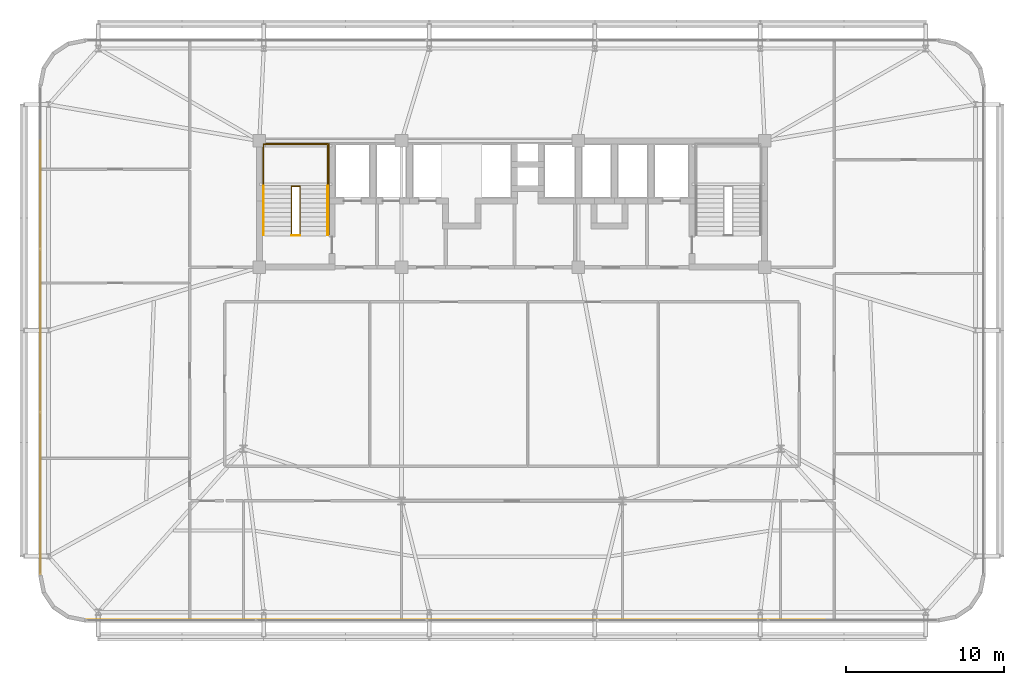
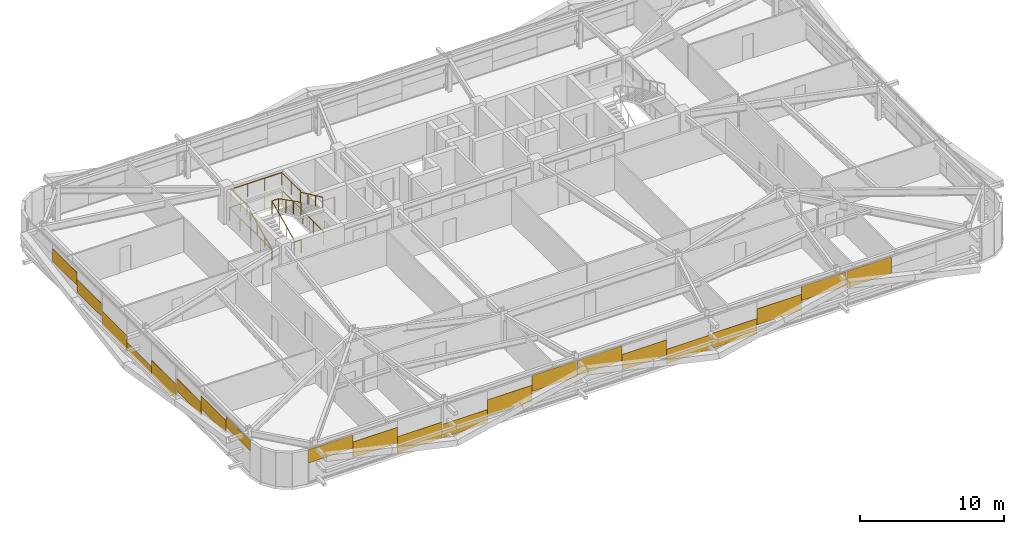
# One storey, part 43 of 45: 21 coverings, 6 railings.
"""IFC4 building model written with IfcOpenShell, lengths in metres."""

import ifcopenshell
import ifcopenshell.guid

model = None  # the IFC model being written
_history = None  # IfcOwnerHistory: only IFC2X3 demands one
_inside = {}  # id of a spatial element -> (the spatial element, [elements in it])
_under = {}  # id of a project, library or spatial element -> (it, [spatial elements below it])
_declared = {}  # id of a project -> (the project, [libraries it declares])
_typed = {}  # id of a type object -> (the type object, [elements of that type])
_made_of = {}  # id of a material, layer set ... -> (it, [elements and type objects made of it])


def new_model(schema):
    """Start an empty IFC model of exactly this schema.

    Asked for "IFC4X3", IfcOpenShell would pick the latest addendum, in which some entities
    have other attributes; the version numbers below select the first issue.
    IFC2X3 requires an IfcOwnerHistory on every rooted entity: one is made here for all.
    """
    global model, _history
    if schema == "IFC4X3":
        model = ifcopenshell.file(schema_version=(4, 3, 0, 0))
    else:
        model = ifcopenshell.file(schema=schema)
    _inside.clear()
    _under.clear()
    _declared.clear()
    _typed.clear()
    _made_of.clear()
    _history = None
    if model.schema == "IFC2X3":
        org = make("IfcOrganization", Name="unknown")
        user = make(
            "IfcPersonAndOrganization",
            ThePerson=make("IfcPerson", FamilyName="unknown"),
            TheOrganization=org,
        )
        app = make(
            "IfcApplication",
            ApplicationDeveloper=org,
            Version="unknown",
            ApplicationFullName="unknown",
            ApplicationIdentifier="unknown",
        )
        _history = make(
            "IfcOwnerHistory",
            OwningUser=user,
            OwningApplication=app,
            ChangeAction="ADDED",
            CreationDate=0,
        )
    return model


def make(cls, **values):
    """One entity of the class cls with the attributes given. An attribute that is None is left unset."""
    return model.create_entity(
        cls, **{name: value for name, value in values.items() if value is not None}
    )


def rooted(cls, **values):
    """An entity with a GlobalId (a new one), such as an element, a storey or a relation."""
    return make(cls, GlobalId=ifcopenshell.guid.new(), OwnerHistory=_history, **values)


def si_unit(unit_type, name, prefix=None):
    """IfcSIUnit, for example si_unit("LENGTHUNIT", "METRE", prefix="MILLI")."""
    return make("IfcSIUnit", UnitType=unit_type, Prefix=prefix, Name=name)


def assignment(units):
    """IfcUnitAssignment: the units of a project."""
    return None if units is None else make("IfcUnitAssignment", Units=units)


def point(xyz):
    """IfcCartesianPoint."""
    return None if xyz is None else make("IfcCartesianPoint", Coordinates=xyz)


def direction(xyz):
    """IfcDirection."""
    return None if xyz is None else make("IfcDirection", DirectionRatios=xyz)


def frame(location, z_axis=None, x_axis=None):
    """IfcAxis2Placement3D, a coordinate frame: its origin and axes. An axis left out is left unset."""
    return make(
        "IfcAxis2Placement3D",
        Location=point(location),
        Axis=direction(z_axis),
        RefDirection=direction(x_axis),
    )


def frame_2d(location, x_axis=None):
    """IfcAxis2Placement2D, a coordinate frame in the plane: its origin and x axis."""
    return make(
        "IfcAxis2Placement2D", Location=point(location), RefDirection=direction(x_axis)
    )


def origin():
    """The frame at (0, 0, 0) with its axes left unset."""
    return frame((0.0, 0.0, 0.0))


def origin_2d():
    """The frame at (0, 0) in the plane with its x axis left unset."""
    return frame_2d((0.0, 0.0))


def place(relative_to, where):
    """IfcLocalPlacement: puts the frame where relative to a parent placement (None: the world)."""
    return make(
        "IfcLocalPlacement", PlacementRelTo=relative_to, RelativePlacement=where
    )


def context(
    kind, dimensions, precision=None, world=None, true_north=None, identifier=None
):
    """IfcGeometricRepresentationContext, for example the 3D "Model" context."""
    return make(
        "IfcGeometricRepresentationContext",
        ContextIdentifier=identifier,
        ContextType=kind,
        CoordinateSpaceDimension=dimensions,
        Precision=precision,
        WorldCoordinateSystem=world,
        TrueNorth=true_north,
    )


def subcontext(parent, identifier, kind, view, scale=None):
    """IfcGeometricRepresentationSubContext, for example "Body" below "Model"."""
    return make(
        "IfcGeometricRepresentationSubContext",
        ContextIdentifier=identifier,
        ContextType=kind,
        ParentContext=parent,
        TargetScale=scale,
        TargetView=view,
    )


def project(units=None, contexts=None):
    """IfcProject with its units and contexts."""
    return rooted(
        "IfcProject",
        Name="project",
        RepresentationContexts=contexts,
        UnitsInContext=assignment(units),
    )


def spatial(cls, under=None, at=None, **own):
    """A site, building, storey or space (cls), placed at a placement, below another one or the project."""
    s = rooted(cls, ObjectPlacement=at, **own)
    if under is not None:
        _under.setdefault(under.id(), (under, []))[1].append(s)
    return s


def profile(cls, at=None, kind="AREA", **sizes):
    """A parametric profile (cls). Its sizes go by their IFC names, for example OverallWidth=200.0."""
    return make(cls, ProfileType=kind, Position=at, **sizes)


def rectangle(**sizes):
    """IfcRectangleProfileDef."""
    return profile("IfcRectangleProfileDef", **sizes)


def extrude(swept, where, along, depth):
    """IfcExtrudedAreaSolid: the profile swept, set in the frame where, extruded along a direction by depth."""
    return make(
        "IfcExtrudedAreaSolid",
        SweptArea=swept,
        Position=where,
        ExtrudedDirection=direction(along),
        Depth=depth,
    )


def shape(context_of_items, identifier, shape_type, items):
    """IfcShapeRepresentation: the items that make up one representation, for example the "Body"."""
    return make(
        "IfcShapeRepresentation",
        ContextOfItems=context_of_items,
        RepresentationIdentifier=identifier,
        RepresentationType=shape_type,
        Items=items,
    )


def source(mapping_origin, context_of_items, identifier, shape_type, items):
    """IfcRepresentationMap: a shape defined once, which mapped items show again and again."""
    return make(
        "IfcRepresentationMap",
        MappingOrigin=mapping_origin,
        MappedRepresentation=shape(context_of_items, identifier, shape_type, items),
    )


def transform(
    local_origin,
    x_axis=None,
    y_axis=None,
    z_axis=None,
    scale=None,
    scale2=None,
    scale3=None,
    uniform=True,
):
    """IfcCartesianTransformationOperator3D, or its non-uniform kind. x_axis, y_axis, z_axis: its Axis1, 2, 3."""
    if uniform:
        return make(
            "IfcCartesianTransformationOperator3D",
            Axis1=direction(x_axis),
            Axis2=direction(y_axis),
            LocalOrigin=point(local_origin),
            Scale=scale,
            Axis3=direction(z_axis),
        )
    return make(
        "IfcCartesianTransformationOperator3DnonUniform",
        Axis1=direction(x_axis),
        Axis2=direction(y_axis),
        LocalOrigin=point(local_origin),
        Scale=scale,
        Axis3=direction(z_axis),
        Scale2=scale2,
        Scale3=scale3,
    )


def mapped(mapping_source, mapping_target):
    """IfcMappedItem: shows the shape of a source again, moved by a transform."""
    return make(
        "IfcMappedItem", MappingSource=mapping_source, MappingTarget=mapping_target
    )


def material(Name=None, Category=None):
    """IfcMaterial."""
    return make("IfcMaterial", Name=Name, Category=Category)


def layer(
    of_material, thickness, ventilated=None, Name=None, Category=None, Priority=None
):
    """IfcMaterialLayer: one layer of a wall or slab, of a material (None: an air gap)."""
    return make(
        "IfcMaterialLayer",
        Material=of_material,
        LayerThickness=thickness,
        IsVentilated=ventilated,
        Name=Name,
        Category=Category,
        Priority=Priority,
    )


def layer_set(layers, Name=None):
    """IfcMaterialLayerSet."""
    return make("IfcMaterialLayerSet", MaterialLayers=layers, LayerSetName=Name)


def made_of(thing, what):
    """Note that an element or type object is made of a material, layer set ...; save() writes the relation."""
    if what is not None:
        _made_of.setdefault(what.id(), (what, []))[1].append(thing)
    return thing


def type_object(cls, material=None, **own):
    """A type object (cls), such as IfcWallType, which elements share."""
    return made_of(rooted(cls, **own), material)


def element(
    cls,
    number,
    at=None,
    inside=None,
    cuts=None,
    type_object=None,
    material=None,
    context=None,
    identifier="Body",
    shape_type=None,
    held_by="IfcProductDefinitionShape",
    body=None,
    shapes=None,
    **own,
):
    """One element of the class cls, such as IfcWall. Its Tag is "e" and its number.

    at: its placement. inside: the storey or other place that contains it. cuts: it is an
    opening in that element (IfcRelVoidsElement). A single representation is given by context,
    identifier, shape_type and body (its items); several are given by shapes. held_by: the class
    of the entity that holds the representations. save() writes the other relations.
    """
    e = rooted(cls, Tag="e%d" % number, ObjectPlacement=at, **own)
    if body is not None:
        shapes = [shape(context, identifier, shape_type, body)]
    if shapes is not None:
        e.Representation = make(held_by, Representations=shapes)
    if inside is not None:
        _inside.setdefault(inside.id(), (inside, []))[1].append(e)
    if cuts is not None:
        rooted(
            "IfcRelVoidsElement", RelatingBuildingElement=cuts, RelatedOpeningElement=e
        )
    if type_object is not None:
        _typed.setdefault(type_object.id(), (type_object, []))[1].append(e)
    return made_of(e, material)


def aggregate(whole, parts):
    """IfcRelAggregates: a whole, such as a stair, and the parts it consists of."""
    return rooted("IfcRelAggregates", RelatingObject=whole, RelatedObjects=parts)


def save(model, path):
    """Write the relations noted so far, then the file.

    IfcRelAggregates (storeys below a building ...), IfcRelContainedInSpatialStructure (elements
    in a storey), IfcRelDefinesByType, IfcRelAssociatesMaterial and IfcRelDeclares: one each for
    every whole, place, type object, material and project.
    """
    for whole, parts in _under.values():
        aggregate(whole, parts)
    for where, things in _inside.values():
        rooted(
            "IfcRelContainedInSpatialStructure",
            RelatedElements=things,
            RelatingStructure=where,
        )
    for kind, things in _typed.values():
        rooted("IfcRelDefinesByType", RelatedObjects=things, RelatingType=kind)
    for what, things in _made_of.values():
        rooted("IfcRelAssociatesMaterial", RelatedObjects=things, RelatingMaterial=what)
    for by, libraries in _declared.values():
        rooted("IfcRelDeclares", RelatingContext=by, RelatedDefinitions=libraries)
    model.write(path)


model = new_model("IFC4")

# Units and contexts
model_context = context("Model", 3, precision=1e-05, world=origin(), true_north=direction((0.0, 1.0)))
body_context = subcontext(model_context, "Body", "Model", "MODEL_VIEW")
ifc_project = project(units=[si_unit("LENGTHUNIT", "METRE"), si_unit("AREAUNIT", "SQUARE_METRE"), si_unit("VOLUMEUNIT", "CUBIC_METRE"), si_unit("PLANEANGLEUNIT", "RADIAN"), si_unit("MASSUNIT", "GRAM", prefix="KILO")], contexts=[model_context])

# Site, building, storey
site_placement = place(None, origin())
site = spatial("IfcSite", under=ifc_project, at=site_placement, CompositionType="ELEMENT")
building_placement = place(site_placement, origin())
building = spatial("IfcBuilding", under=site, at=building_placement, Name="Taldren Reach Tower", CompositionType="ELEMENT")
storey_placement = place(building_placement, frame((0.0, 0.0, 57.75)))
storey = spatial("IfcBuildingStorey", under=building, at=storey_placement, Name="L17", CompositionType="ELEMENT", Elevation=57.75)

# Railings
ifc_material_1 = material(Name="Steel Gr 350 (C350L0)", Category="steel")
ifc_layer_1 = layer(ifc_material_1, 0.050048828125)
ifc_layer_set_1 = layer_set([ifc_layer_1], Name="Steel Gr 350 (C350L0)")
railing_type_1 = type_object("IfcRailingType", Name="RL-STAIR-GR", PredefinedType="GUARDRAIL", material=ifc_layer_set_1)
railing_1_placement = place(storey_placement, frame((19.260009765625, 29.135009765625, 1.574951171875)))
element("IfcRailing", 1, at=railing_1_placement, inside=storey, type_object=railing_type_1, Name="Stair half-landing perimeter guard ST1-L17", PredefinedType="GUARDRAIL", context=body_context, shape_type="SweptSolid", body=[
    extrude(rectangle(XDim=0.047852, YDim=0.047852, at=origin_2d()), frame((0.0, 0.0, 1.09619140625), z_axis=(0.0, 1.0, 0.0), x_axis=(-1.0, 0.0, 0.0)), (0.0, 0.0, 1.0), 2.64501953125),
    extrude(rectangle(XDim=0.047852, YDim=0.047852, at=origin_2d()), frame((0.0, 2.64501953125, 1.09619140625), z_axis=(1.0, 0.0, 0.0), x_axis=(0.0, 1.0, 0.0)), (0.0, 0.0, 1.0), 4.080078125),
    extrude(rectangle(XDim=0.047852, YDim=0.047852, at=origin_2d()), frame((4.080078125, 2.64501953125, 1.09619140625), z_axis=(0.0, -1.0, 0.0), x_axis=(1.0, 0.0, 0.0)), (0.0, 0.0, 1.0), 2.64501953125),
    extrude(rectangle(XDim=0.041992, YDim=0.041992, at=origin_2d()), origin(), (0.0, 0.0, 1.0), 1.072021484375),
    extrude(rectangle(XDim=0.041992, YDim=0.041992, at=origin_2d()), frame((0.0, 1.322509765625, 0.0)), (0.0, 0.0, 1.0), 1.072021484375),
    extrude(rectangle(XDim=0.041992, YDim=0.041992, at=origin_2d()), frame((0.0, 2.64501953125, 0.0)), (0.0, 0.0, 1.0), 1.072021484375),
    extrude(rectangle(XDim=0.041992, YDim=0.041992, at=origin_2d()), frame((1.360107421875, 2.64501953125, 0.0)), (0.0, 0.0, 1.0), 1.072021484375),
    extrude(rectangle(XDim=0.041992, YDim=0.041992, at=origin_2d()), frame((2.719970703125, 2.64501953125, 0.0)), (0.0, 0.0, 1.0), 1.072021484375),
    extrude(rectangle(XDim=0.041992, YDim=0.041992, at=origin_2d()), frame((4.080078125, 2.64501953125, 0.0)), (0.0, 0.0, 1.0), 1.072021484375),
    extrude(rectangle(XDim=0.041992, YDim=0.041992, at=origin_2d()), frame((4.080078125, 1.322509765625, 0.0)), (0.0, 0.0, 1.0), 1.072021484375),
    extrude(rectangle(XDim=0.041992, YDim=0.041992, at=origin_2d()), frame((4.080078125, 0.0, 0.0)), (0.0, 0.0, 1.0), 1.072021484375),
])
railing_2_placement = place(storey_placement, frame((21.030029296875, 26.050048828125, 0.13134765625)))
element("IfcRailing", 2, at=railing_2_placement, inside=storey, type_object=railing_type_1, Name="Stairwell inner guard ST1-L17", PredefinedType="GUARDRAIL", context=body_context, shape_type="SweptSolid", body=[
    extrude(rectangle(XDim=0.047852, YDim=0.047852, at=origin_2d()), frame((0.0, 0.0, 1.09619140625), z_axis=(0.0, 0.905737652094, 0.423838773095), x_axis=(-1.0, 0.0, 0.0)), (0.0, 0.0, 1.0), 3.406005859375),
    extrude(rectangle(XDim=0.047852, YDim=0.047852, at=origin_2d()), frame((0.0, 3.0849609375, 2.53955078125), z_axis=(1.0, 0.0, 0.0), x_axis=(0.0, 1.0, 0.0)), (0.0, 0.0, 1.0), 0.5400390625),
    extrude(rectangle(XDim=0.047852, YDim=0.047852, at=origin_2d()), frame((0.5400390625, 3.0849609375, 2.53955078125), z_axis=(0.0, -0.890645957773, 0.45469745755), x_axis=(1.0, 0.0, 0.0)), (0.0, 0.0, 1.0), 3.463623046875),
    extrude(rectangle(XDim=0.041992, YDim=0.041992, at=origin_2d()), origin(), (0.0, 0.0, 1.0), 1.072021484375),
    extrude(rectangle(XDim=0.041992, YDim=0.041992, at=origin_2d()), frame((0.0, 1.0283203125, 0.481201171875)), (0.0, 0.0, 1.0), 1.072021484375),
    extrude(rectangle(XDim=0.041992, YDim=0.041992, at=origin_2d()), frame((0.0, 2.056640625, 0.96240234375)), (0.0, 0.0, 1.0), 1.072021484375),
    extrude(rectangle(XDim=0.041992, YDim=0.041992, at=origin_2d()), frame((0.0, 3.0849609375, 1.443603515625)), (0.0, 0.0, 1.0), 1.072021484375),
    extrude(rectangle(XDim=0.041992, YDim=0.041992, at=origin_2d()), frame((0.5400390625, 3.0849609375, 1.443603515625)), (0.0, 0.0, 1.0), 1.072021484375),
    extrude(rectangle(XDim=0.041992, YDim=0.041992, at=origin_2d()), frame((0.5400390625, 2.056640625, 1.968505859375)), (0.0, 0.0, 1.0), 1.072021484375),
    extrude(rectangle(XDim=0.041992, YDim=0.041992, at=origin_2d()), frame((0.5400390625, 1.0283203125, 2.49365234375)), (0.0, 0.0, 1.0), 1.072021484375),
    extrude(rectangle(XDim=0.041992, YDim=0.041992, at=origin_2d()), frame((0.5400390625, 0.0, 3.0185546875)), (0.0, 0.0, 1.0), 1.072021484375),
])
railing_3_placement = place(storey_placement, frame((21.030029296875, 26.010009765625, 0.0)))
element("IfcRailing", 3, at=railing_3_placement, inside=storey, type_object=railing_type_1, Name="Stairwell landing slot guard ST1-L17", PredefinedType="GUARDRAIL", context=body_context, shape_type="SweptSolid", body=[
    extrude(rectangle(XDim=0.047852, YDim=0.047852, at=origin_2d()), frame((0.0, 0.0, 1.09619140625), z_axis=(1.0, 0.0, 0.0), x_axis=(0.0, 1.0, 0.0)), (0.0, 0.0, 1.0), 0.5400390625),
    extrude(rectangle(XDim=0.041992, YDim=0.041992, at=origin_2d()), origin(), (0.0, 0.0, 1.0), 1.072021484375),
    extrude(rectangle(XDim=0.041992, YDim=0.041992, at=origin_2d()), frame((0.5400390625, 0.0, 0.0)), (0.0, 0.0, 1.0), 1.072021484375),
])
railing_4_placement = place(storey_placement, frame((19.18994140625, 26.050048828125, 0.0)))
element("IfcRailing", 4, at=railing_4_placement, inside=storey, type_object=railing_type_1, Name="Stairwell floor opening guard ST1-L17", PredefinedType="GUARDRAIL", context=body_context, shape_type="SweptSolid", body=[
    extrude(rectangle(XDim=0.047852, YDim=0.047852, at=origin_2d()), frame((0.0, 0.0, 1.09619140625), z_axis=(0.0, 1.0, 0.0), x_axis=(-1.0, 0.0, 0.0)), (0.0, 0.0, 1.0), 5.800048828125),
    extrude(rectangle(XDim=0.047852, YDim=0.047852, at=origin_2d()), frame((0.0, 5.800048828125, 1.09619140625), z_axis=(1.0, 0.0, 0.0), x_axis=(0.0, 1.0, 0.0)), (0.0, 0.0, 1.0), 4.219970703125),
    extrude(rectangle(XDim=0.047852, YDim=0.047852, at=origin_2d()), frame((4.219970703125, 5.800048828125, 1.09619140625), z_axis=(0.0, -1.0, 0.0), x_axis=(1.0, 0.0, 0.0)), (0.0, 0.0, 1.0), 5.800048828125),
    extrude(rectangle(XDim=0.041992, YDim=0.041992, at=origin_2d()), origin(), (0.0, 0.0, 1.0), 1.072021484375),
    extrude(rectangle(XDim=0.041992, YDim=0.041992, at=origin_2d()), frame((0.0, 1.449951171875, 0.0)), (0.0, 0.0, 1.0), 1.072021484375),
    extrude(rectangle(XDim=0.041992, YDim=0.041992, at=origin_2d()), frame((0.0, 2.89990234375, 0.0)), (0.0, 0.0, 1.0), 1.072021484375),
    extrude(rectangle(XDim=0.041992, YDim=0.041992, at=origin_2d()), frame((0.0, 4.35009765625, 0.0)), (0.0, 0.0, 1.0), 1.072021484375),
    extrude(rectangle(XDim=0.041992, YDim=0.041992, at=origin_2d()), frame((0.0, 5.800048828125, 0.0)), (0.0, 0.0, 1.0), 1.072021484375),
    extrude(rectangle(XDim=0.041992, YDim=0.041992, at=origin_2d()), frame((1.40673828125, 5.800048828125, 0.0)), (0.0, 0.0, 1.0), 1.072021484375),
    extrude(rectangle(XDim=0.041992, YDim=0.041992, at=origin_2d()), frame((2.813232421875, 5.800048828125, 0.0)), (0.0, 0.0, 1.0), 1.072021484375),
    extrude(rectangle(XDim=0.041992, YDim=0.041992, at=origin_2d()), frame((4.219970703125, 5.800048828125, 0.0)), (0.0, 0.0, 1.0), 1.072021484375),
    extrude(rectangle(XDim=0.041992, YDim=0.041992, at=origin_2d()), frame((4.219970703125, 4.35009765625, 0.0)), (0.0, 0.0, 1.0), 1.072021484375),
    extrude(rectangle(XDim=0.041992, YDim=0.041992, at=origin_2d()), frame((4.219970703125, 2.89990234375, 0.0)), (0.0, 0.0, 1.0), 1.072021484375),
    extrude(rectangle(XDim=0.041992, YDim=0.041992, at=origin_2d()), frame((4.219970703125, 1.449951171875, 0.0)), (0.0, 0.0, 1.0), 1.072021484375),
    extrude(rectangle(XDim=0.041992, YDim=0.041992, at=origin_2d()), frame((4.219970703125, 0.0, 0.0)), (0.0, 0.0, 1.0), 1.072021484375),
])
ifc_material_2 = material(Name="Stainless Steel Gr 316", Category="steel")
ifc_layer_2 = layer(ifc_material_2, 0.048095703125)
ifc_layer_set_2 = layer_set([ifc_layer_2], Name="Stainless Steel Gr 316")
railing_type_2 = type_object("IfcRailingType", Name="RL-STAIR-HR", PredefinedType="HANDRAIL", material=ifc_layer_set_2)
railing_5_placement = place(storey_placement, frame((19.27001953125, 26.050048828125, 0.13134765625)))
element("IfcRailing", 5, at=railing_5_placement, inside=storey, type_object=railing_type_2, Name="Stair flight handrail ST1-L17-1", PredefinedType="HANDRAIL", context=body_context, shape_type="SweptSolid", body=[
    extrude(rectangle(XDim=0.047852, YDim=0.047852, at=origin_2d()), frame((0.0, 0.0, 0.89599609375), z_axis=(0.0, 0.905737652094, 0.423838773095), x_axis=(-1.0, 0.0, 0.0)), (0.0, 0.0, 1.0), 3.406005859375),
    extrude(rectangle(XDim=0.041992, YDim=0.041992, at=origin_2d()), origin(), (0.0, 0.0, 1.0), 0.871826171875),
    extrude(rectangle(XDim=0.041992, YDim=0.041992, at=origin_2d()), frame((0.0, 1.0283203125, 0.481201171875)), (0.0, 0.0, 1.0), 0.871826171875),
    extrude(rectangle(XDim=0.041992, YDim=0.041992, at=origin_2d()), frame((0.0, 2.056640625, 0.96240234375)), (0.0, 0.0, 1.0), 0.871826171875),
    extrude(rectangle(XDim=0.041992, YDim=0.041992, at=origin_2d()), frame((0.0, 3.0849609375, 1.443603515625)), (0.0, 0.0, 1.0), 0.871826171875),
])
railing_6_placement = place(storey_placement, frame((23.330078125, 29.135009765625, 1.706298828125)))
element("IfcRailing", 6, at=railing_6_placement, inside=storey, type_object=railing_type_2, Name="Stair flight handrail ST1-L17-2", PredefinedType="HANDRAIL", context=body_context, shape_type="SweptSolid", body=[
    extrude(rectangle(XDim=0.047852, YDim=0.047852, at=origin_2d()), frame((0.0, 0.0, 0.89599609375), z_axis=(0.0, -0.905737652094, 0.423838773095), x_axis=(1.0, 0.0, 0.0)), (0.0, 0.0, 1.0), 3.406005859375),
    extrude(rectangle(XDim=0.041992, YDim=0.041992, at=origin_2d()), origin(), (0.0, 0.0, 1.0), 0.871826171875),
    extrude(rectangle(XDim=0.041992, YDim=0.041992, at=origin_2d()), frame((0.0, -1.0283203125, 0.481201171875)), (0.0, 0.0, 1.0), 0.871826171875),
    extrude(rectangle(XDim=0.041992, YDim=0.041992, at=origin_2d()), frame((0.0, -2.056640625, 0.96240234375)), (0.0, 0.0, 1.0), 0.871826171875),
    extrude(rectangle(XDim=0.041992, YDim=0.041992, at=origin_2d()), frame((0.0, -3.0849609375, 1.443603515625)), (0.0, 0.0, 1.0), 0.871826171875),
])

# Coverings
ifc_material_3 = material(Name="Pale Champagne Fluoropolymer Aluminium Spandrel Cladding", Category="aluminium")
ifc_layer_3 = layer(ifc_material_3, 0.0439453125)
ifc_layer_set_3 = layer_set([ifc_layer_3], Name="Pale Champagne Fluoropolymer Aluminium Spandrel Cladding")
covering_type = type_object("IfcCoveringType", Name="CV-CLAD-044", PredefinedType="CLADDING", material=ifc_layer_set_3)
shared_shape_1 = source(origin(), body_context, "Body", "SweptSolid", [
    extrude(rectangle(XDim=3.5673828125, YDim=0.0439453125, at=origin_2d()), origin(), (0.0, 0.0, 1.0), 1.132080078125),
])
covering_1_placement = place(storey_placement, frame((9.8486328125, 1.639892578125, 1.68310546875), z_axis=(0.0, 0.0, 1.0), x_axis=(1.0, 0.0, 0.0)))
element("IfcCovering", 7, at=covering_1_placement, inside=storey, type_object=covering_type, Name="Diagrid closure cladding strip CW-2 panel 1.1 1", PredefinedType="CLADDING", context=body_context, shape_type="MappedRepresentation", body=[
    mapped(shared_shape_1, transform((0.0, 0.0, 0.0), scale=1.0)),
])
shared_shape_2 = source(origin(), body_context, "Body", "SweptSolid", [
    extrude(rectangle(XDim=3.5673828125, YDim=0.0439453125, at=origin_2d()), origin(), (0.0, 0.0, 1.0), 1.339599609375),
])
covering_2_placement = place(storey_placement, frame((13.416259765625, 1.639892578125, 0.87646484375), z_axis=(0.0, 0.0, 1.0), x_axis=(1.0, 0.0, 0.0)))
element("IfcCovering", 8, at=covering_2_placement, inside=storey, type_object=covering_type, Name="Diagrid closure cladding strip CW-2 panel 1.1 2", PredefinedType="CLADDING", context=body_context, shape_type="MappedRepresentation", body=[
    mapped(shared_shape_2, transform((0.0, 0.0, 0.0), scale=1.0)),
])
shared_shape_3 = source(origin(), body_context, "Body", "SweptSolid", [
    extrude(rectangle(XDim=3.5673828125, YDim=0.0439453125, at=origin_2d()), origin(), (0.0, 0.0, 1.0), 1.35400390625),
])
covering_3_placement = place(storey_placement, frame((16.983642578125, 1.639892578125, 0.05517578125), z_axis=(0.0, 0.0, 1.0), x_axis=(1.0, 0.0, 0.0)))
element("IfcCovering", 9, at=covering_3_placement, inside=storey, type_object=covering_type, Name="Diagrid closure cladding strip CW-2 panel 1.1 3", PredefinedType="CLADDING", context=body_context, shape_type="MappedRepresentation", body=[
    mapped(shared_shape_3, transform((0.0, 0.0, 0.0), scale=1.0)),
])
shared_shape_4 = source(origin(), body_context, "Body", "SweptSolid", [
    extrude(rectangle(XDim=3.578369140625, YDim=0.0439453125, at=origin_2d()), origin(), (0.0, 0.0, 1.0), 1.139404296875),
])
covering_4_placement = place(storey_placement, frame((20.62158203125, 1.639892578125, 0.05517578125), z_axis=(0.0, 0.0, 1.0), x_axis=(1.0, 0.0, 0.0)))
element("IfcCovering", 10, at=covering_4_placement, inside=storey, type_object=covering_type, Name="Diagrid closure cladding strip CW-2 panel 2.1 1", PredefinedType="CLADDING", context=body_context, shape_type="MappedRepresentation", body=[
    mapped(shared_shape_4, transform((0.0, 0.0, 0.0), scale=1.0)),
])
shared_shape_5 = source(origin(), body_context, "Body", "SweptSolid", [
    extrude(rectangle(XDim=3.578369140625, YDim=0.0439453125, at=origin_2d()), origin(), (0.0, 0.0, 1.0), 1.342041015625),
])
for number, where, z_axis, x_axis, name in (
    (11, (24.199951171875, 1.639892578125, 0.66162109375), (0.0, 0.0, 1.0), (1.0, 0.0, 0.0), "Diagrid closure cladding strip CW-2 panel 2.1 2"),
    (12, (35.0, 1.639892578125, 0.73388671875), (0.0, 0.0, 1.0), (1.0, 0.0, 0.0), "Diagrid closure cladding strip CW-2 panel 3.1 2"),
    (13, (45.800048828125, 1.639892578125, 0.80615234375), (0.0, 0.0, 1.0), (1.0, 0.0, 0.0), "Diagrid closure cladding strip CW-2 panel 4.1 2"),
):
    element("IfcCovering", number, at=place(storey_placement, frame(where, z_axis=z_axis, x_axis=x_axis)), inside=storey, type_object=covering_type, Name=name, PredefinedType="CLADDING", context=body_context, shape_type="MappedRepresentation", body=[
        mapped(shared_shape_5, transform((0.0, 0.0, 0.0), scale=1.0)),
    ])
shared_shape_6 = source(origin(), body_context, "Body", "SweptSolid", [
    extrude(rectangle(XDim=3.578369140625, YDim=0.0439453125, at=origin_2d()), origin(), (0.0, 0.0, 1.0), 1.34423828125),
])
covering_5_placement = place(storey_placement, frame((27.7783203125, 1.639892578125, 1.470703125), z_axis=(0.0, 0.0, 1.0), x_axis=(1.0, 0.0, 0.0)))
element("IfcCovering", 14, at=covering_5_placement, inside=storey, type_object=covering_type, Name="Diagrid closure cladding strip CW-2 panel 2.1 3", PredefinedType="CLADDING", context=body_context, shape_type="MappedRepresentation", body=[
    mapped(shared_shape_6, transform((0.0, 0.0, 0.0), scale=1.0)),
])
shared_shape_7 = source(origin(), body_context, "Body", "SweptSolid", [
    extrude(rectangle(XDim=3.578369140625, YDim=0.0439453125, at=origin_2d()), origin(), (0.0, 0.0, 1.0), 1.271728515625),
])
covering_6_placement = place(storey_placement, frame((31.421630859375, 1.639892578125, 1.54345703125), z_axis=(0.0, 0.0, 1.0), x_axis=(1.0, 0.0, 0.0)))
element("IfcCovering", 15, at=covering_6_placement, inside=storey, type_object=covering_type, Name="Diagrid closure cladding strip CW-2 panel 3.1 1", PredefinedType="CLADDING", context=body_context, shape_type="MappedRepresentation", body=[
    mapped(shared_shape_7, transform((0.0, 0.0, 0.0), scale=1.0)),
])
shared_shape_8 = source(origin(), body_context, "Body", "SweptSolid", [
    extrude(rectangle(XDim=3.578369140625, YDim=0.0439453125, at=origin_2d()), origin(), (0.0, 0.0, 1.0), 1.2119140625),
])
covering_7_placement = place(storey_placement, frame((38.578369140625, 1.639892578125, 0.054931640625), z_axis=(0.0, 0.0, 1.0), x_axis=(1.0, 0.0, 0.0)))
element("IfcCovering", 16, at=covering_7_placement, inside=storey, type_object=covering_type, Name="Diagrid closure cladding strip CW-2 panel 3.1 3", PredefinedType="CLADDING", context=body_context, shape_type="MappedRepresentation", body=[
    mapped(shared_shape_8, transform((0.0, 0.0, 0.0), scale=1.0)),
])
shared_shape_9 = source(origin(), body_context, "Body", "SweptSolid", [
    extrude(rectangle(XDim=3.578369140625, YDim=0.0439453125, at=origin_2d()), origin(), (0.0, 0.0, 1.0), 1.2841796875),
])
covering_8_placement = place(storey_placement, frame((42.2216796875, 1.639892578125, 0.054931640625), z_axis=(0.0, 0.0, 1.0), x_axis=(1.0, 0.0, 0.0)))
element("IfcCovering", 17, at=covering_8_placement, inside=storey, type_object=covering_type, Name="Diagrid closure cladding strip CW-2 panel 4.1 1", PredefinedType="CLADDING", context=body_context, shape_type="MappedRepresentation", body=[
    mapped(shared_shape_9, transform((0.0, 0.0, 0.0), scale=1.0)),
])
shared_shape_10 = source(origin(), body_context, "Body", "SweptSolid", [
    extrude(rectangle(XDim=3.578369140625, YDim=0.0439453125, at=origin_2d()), origin(), (0.0, 0.0, 1.0), 1.199462890625),
])
covering_9_placement = place(storey_placement, frame((49.37841796875, 1.639892578125, 1.61572265625), z_axis=(0.0, 0.0, 1.0), x_axis=(1.0, 0.0, 0.0)))
element("IfcCovering", 18, at=covering_9_placement, inside=storey, type_object=covering_type, Name="Diagrid closure cladding strip CW-2 panel 4.1 3", PredefinedType="CLADDING", context=body_context, shape_type="MappedRepresentation", body=[
    mapped(shared_shape_10, transform((0.0, 0.0, 0.0), scale=1.0)),
])
shared_shape_11 = source(origin(), body_context, "Body", "SweptSolid", [
    extrude(rectangle(XDim=3.5673828125, YDim=0.0439453125, at=origin_2d()), origin(), (0.0, 0.0, 1.0), 1.4140625),
])
covering_10_placement = place(storey_placement, frame((53.016357421875, 1.639892578125, 1.40087890625), z_axis=(0.0, 0.0, 1.0), x_axis=(1.0, 0.0, 0.0)))
element("IfcCovering", 19, at=covering_10_placement, inside=storey, type_object=covering_type, Name="Diagrid closure cladding strip CW-2 panel 5.1 1", PredefinedType="CLADDING", context=body_context, shape_type="MappedRepresentation", body=[
    mapped(shared_shape_11, transform((0.0, 0.0, 0.0), scale=1.0)),
])
shared_shape_12 = source(origin(), body_context, "Body", "SweptSolid", [
    extrude(rectangle(XDim=3.411865234375, YDim=0.0439453125, at=origin_2d()), origin(), (0.0, 0.0, 1.0), 0.865966796875),
])
covering_11_placement = place(storey_placement, frame((5.139892578125, 6.27099609375, 1.94921875), z_axis=(0.0, 0.0, 1.0), x_axis=(0.0, -1.0, 0.0)))
element("IfcCovering", 20, at=covering_11_placement, inside=storey, type_object=covering_type, Name="Diagrid closure cladding strip CW-2 panel 3.1 3", PredefinedType="CLADDING", context=body_context, shape_type="MappedRepresentation", body=[
    mapped(shared_shape_12, transform((0.0, 0.0, 0.0), scale=1.0)),
])
shared_shape_13 = source(origin(), body_context, "Body", "SweptSolid", [
    extrude(rectangle(XDim=3.411865234375, YDim=0.0439453125, at=origin_2d()), origin(), (0.0, 0.0, 1.0), 1.092529296875),
])
for number, where, z_axis, x_axis, name in (
    (21, (5.139892578125, 30.317138671875, 1.3837890625), (0.0, 0.0, 1.0), (0.0, -1.0, 0.0), "Diagrid closure cladding strip CW-2 panel 1.1 2"),
    (22, (5.139892578125, 26.905029296875, 0.818359375), (0.0, 0.0, 1.0), (0.0, -1.0, 0.0), "Diagrid closure cladding strip CW-2 panel 1.1 3"),
    (23, (5.139892578125, 13.094970703125, 0.818359375), (0.0, 0.0, 1.0), (0.0, -1.0, 0.0), "Diagrid closure cladding strip CW-2 panel 3.1 1"),
    (24, (5.139892578125, 9.682861328125, 1.3837890625), (0.0, 0.0, 1.0), (0.0, -1.0, 0.0), "Diagrid closure cladding strip CW-2 panel 3.1 2"),
):
    element("IfcCovering", number, at=place(storey_placement, frame(where, z_axis=z_axis, x_axis=x_axis)), inside=storey, type_object=covering_type, Name=name, PredefinedType="CLADDING", context=body_context, shape_type="MappedRepresentation", body=[
        mapped(shared_shape_13, transform((0.0, 0.0, 0.0), scale=1.0)),
    ])
shared_shape_14 = source(origin(), body_context, "Body", "SweptSolid", [
    extrude(rectangle(XDim=3.4228515625, YDim=0.0439453125, at=origin_2d()), origin(), (0.0, 0.0, 1.0), 1.279296875),
])
for number, where, z_axis, x_axis, name in (
    (25, (5.139892578125, 23.4228515625, 0.054931640625), (0.0, 0.0, 1.0), (0.0, -1.0, 0.0), "Diagrid closure cladding strip CW-2 panel 2.1 1"),
    (26, (5.139892578125, 16.5771484375, 0.054931640625), (0.0, 0.0, 1.0), (0.0, -1.0, 0.0), "Diagrid closure cladding strip CW-2 panel 2.1 3"),
):
    element("IfcCovering", number, at=place(storey_placement, frame(where, z_axis=z_axis, x_axis=x_axis)), inside=storey, type_object=covering_type, Name=name, PredefinedType="CLADDING", context=body_context, shape_type="MappedRepresentation", body=[
        mapped(shared_shape_14, transform((0.0, 0.0, 0.0), scale=1.0)),
    ])
shared_shape_15 = source(origin(), body_context, "Body", "SweptSolid", [
    extrude(rectangle(XDim=3.4228515625, YDim=0.0439453125, at=origin_2d()), origin(), (0.0, 0.0, 1.0), 0.712158203125),
])
covering_12_placement = place(storey_placement, frame((5.139892578125, 20.0, 0.05517578125), z_axis=(0.0, 0.0, 1.0), x_axis=(0.0, -1.0, 0.0)))
element("IfcCovering", 27, at=covering_12_placement, inside=storey, type_object=covering_type, Name="Diagrid closure cladding strip CW-2 panel 2.1 2", PredefinedType="CLADDING", context=body_context, shape_type="MappedRepresentation", body=[
    mapped(shared_shape_15, transform((0.0, 0.0, 0.0), scale=1.0)),
])

save(model, "model.ifc")
